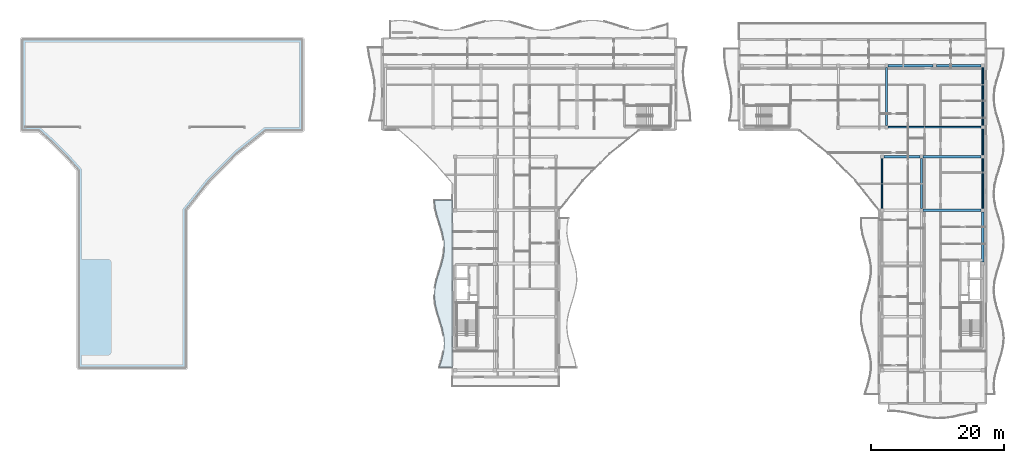
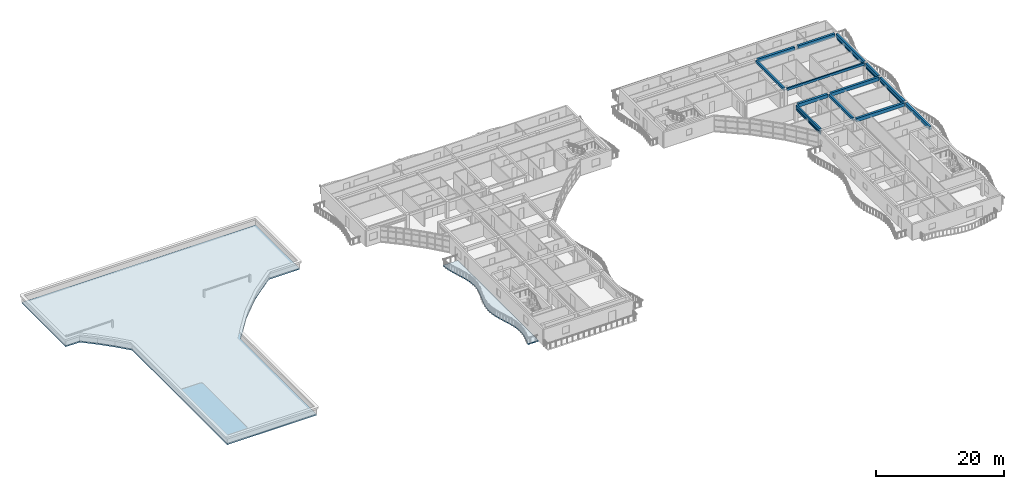
# One storey, part 16 of 39: 13 beams, 8 members, 2 slabs.
"""IFC4 building model written with IfcOpenShell, lengths in metres."""

from ifc_helpers import new_model, si_unit, direction, frame, origin, origin_2d, place, context, subcontext, project, spatial, polyline, rectangle, hollow_rectangle, outline, extrude, material, layer, layer_set, material_profile, profile_set, type_object, element, save


model = new_model("IFC4")

# Units and contexts
model_context = context("Model", 3, precision=1e-05, world=origin(), true_north=direction((0.0, 1.0)))
body_context = subcontext(model_context, "Body", "Model", "MODEL_VIEW")
ifc_project = project(units=[si_unit("LENGTHUNIT", "METRE"), si_unit("AREAUNIT", "SQUARE_METRE"), si_unit("VOLUMEUNIT", "CUBIC_METRE"), si_unit("PLANEANGLEUNIT", "RADIAN"), si_unit("MASSUNIT", "GRAM", prefix="KILO")], contexts=[model_context])

# Site, building, storey
site_placement = place(None, origin())
site = spatial("IfcSite", under=ifc_project, at=site_placement, CompositionType="ELEMENT")
building_placement = place(site_placement, origin())
building = spatial("IfcBuilding", under=site, at=building_placement, Name="Keldmere Railside Commons", CompositionType="ELEMENT")
storey_placement = place(building_placement, frame((0.0, 0.0, 32.9599609375)))
storey = spatial("IfcBuildingStorey", under=building, at=storey_placement, Name="L10", CompositionType="ELEMENT", Elevation=32.9599609375)

# Members
ifc_material_1 = material(Name="Steel F-36 (S355)", Category="steel")
ifc_material_profile_1 = material_profile(ifc_material_1, hollow_rectangle(XDim=0.14990234375, YDim=0.25, WallThickness=0.010009765625, at=origin_2d()), Name="RHS-250x150x10")
ifc_profile_set_1 = profile_set([ifc_material_profile_1], Name="Steel F-36 (S355)")
member_type_1 = type_object("IfcMemberType", Name="Balcony Continuous Planted Trough RHS250x150", PredefinedType="CHORD", material=ifc_profile_set_1)
for number, where, z_axis, x_axis, name in (
    (1, (168.449951171875, 88.25, 2.4150390625), (0.0, 1.0, 0.0), (-1.0, 0.0, 0.0), "PLT-1 MEM-BPLT-1001"),
    (2, (183.550048828125, 88.25, 2.4150390625), (0.0, 1.0, 0.0), (-1.0, 0.0, 0.0), "PLT-1 MEM-BPLT-1003"),
):
    element("IfcMember", number, at=place(storey_placement, frame(where, z_axis=z_axis, x_axis=x_axis)), inside=storey, type_object=member_type_1, Name=name, PredefinedType="CHORD", context=body_context, shape_type="SweptSolid", body=[
        extrude(hollow_rectangle(XDim=0.14990234375, YDim=0.25, WallThickness=0.010009765625, at=origin_2d()), origin(), (0.0, 0.0, 1.0), 7.5),
    ])
member_1_placement = place(storey_placement, frame((183.550048828125, 96.25, 2.4150390625), z_axis=(0.0, 1.0, 0.0), x_axis=(-1.0, 0.0, 0.0)))
element("IfcMember", 3, at=member_1_placement, inside=storey, type_object=member_type_1, Name="PLT-1 MEM-BPLT-1005", PredefinedType="CHORD", context=body_context, shape_type="SweptSolid", body=[
    extrude(hollow_rectangle(XDim=0.14990234375, YDim=0.25, WallThickness=0.010009765625, at=origin_2d()), origin(), (0.0, 0.0, 1.0), 3.949951171875),
])
member_2_placement = place(storey_placement, frame((183.550048828125, 100.699951171875, 2.4150390625), z_axis=(0.0, 1.0, 0.0), x_axis=(-1.0, 0.0, 0.0)))
element("IfcMember", 4, at=member_2_placement, inside=storey, type_object=member_type_1, Name="PLT-1 MEM-BPLT-1007", PredefinedType="CHORD", context=body_context, shape_type="SweptSolid", body=[
    extrude(hollow_rectangle(XDim=0.14990234375, YDim=0.25, WallThickness=0.010009765625, at=origin_2d()), origin(), (0.0, 0.0, 1.0), 8.699951171875),
])

# Beams
ifc_material_2 = material(Name="Architectural Precast Concrete H-35 (C35/45)", Category="concrete")
ifc_material_profile_2 = material_profile(ifc_material_2, rectangle(XDim=0.25, YDim=0.449951171875, at=origin_2d()), Name="RC-250x450")
ifc_profile_set_2 = profile_set([ifc_material_profile_2], Name="Architectural Precast Concrete H-35 (C35/45)")
beam_type_1 = type_object("IfcBeamType", Name="Perimeter Precast Spandrel Beam 250x450", PredefinedType="SPANDREL", material=ifc_profile_set_2)
beam_1_placement = place(storey_placement, frame((169.360107421875, 100.449951171875, 2.97509765625), z_axis=(1.0, 0.0, 0.0), x_axis=(0.0, 1.0, 0.0)))
element("IfcBeam", 5, at=beam_1_placement, inside=storey, type_object=beam_type_1, Name="SPB-1 BM-L10-2388", PredefinedType="SPANDREL", context=body_context, shape_type="SweptSolid", body=[
    extrude(rectangle(XDim=0.25, YDim=0.449951171875, at=origin_2d()), origin(), (0.0, 0.0, 1.0), 13.93994140625),
])
ifc_material_3 = material(Name="Concrete H-30 (C30/37)", Category="concrete")
ifc_material_profile_3 = material_profile(ifc_material_3, rectangle(XDim=0.35009765625, YDim=0.60009765625, at=origin_2d()), Name="RC-350x600")
ifc_profile_set_3 = profile_set([ifc_material_profile_3], Name="Concrete H-30 (C30/37)")
beam_type_2 = type_object("IfcBeamType", Name="Residential Chord RC Beam 350x600", PredefinedType="BEAM", material=ifc_profile_set_3)
for number, where, z_axis, x_axis, name in (
    (6, (183.550048828125, 80.25, 2.900146484375), (0.0, 1.0, 0.0), (-1.0, 0.0, 0.0), "BG-4 BM-L10-2424"),
    (7, (183.550048828125, 88.25, 2.900146484375), (0.0, 1.0, 0.0), (-1.0, 0.0, 0.0), "BG-4 BM-L10-2425"),
):
    element("IfcBeam", number, at=place(storey_placement, frame(where, z_axis=z_axis, x_axis=x_axis)), inside=storey, type_object=beam_type_2, Name=name, PredefinedType="BEAM", context=body_context, shape_type="SweptSolid", body=[
        extrude(rectangle(XDim=0.35009765625, YDim=0.60009765625, at=origin_2d()), origin(), (0.0, 0.0, 1.0), 7.5),
    ])
beam_2_placement = place(storey_placement, frame((183.550048828125, 96.25, 2.900146484375), z_axis=(0.0, 1.0, 0.0), x_axis=(-1.0, 0.0, 0.0)))
element("IfcBeam", 8, at=beam_2_placement, inside=storey, type_object=beam_type_2, Name="BG-4 BM-L10-2426", PredefinedType="BEAM", context=body_context, shape_type="SweptSolid", body=[
    extrude(rectangle(XDim=0.35009765625, YDim=0.60009765625, at=origin_2d()), origin(), (0.0, 0.0, 1.0), 3.949951171875),
])
beam_3_placement = place(storey_placement, frame((183.550048828125, 100.699951171875, 2.900146484375), z_axis=(0.0, 1.0, 0.0), x_axis=(-1.0, 0.0, 0.0)))
element("IfcBeam", 9, at=beam_3_placement, inside=storey, type_object=beam_type_2, Name="BG-4 BM-L10-2427", PredefinedType="BEAM", context=body_context, shape_type="SweptSolid", body=[
    extrude(rectangle(XDim=0.35009765625, YDim=0.60009765625, at=origin_2d()), origin(), (0.0, 0.0, 1.0), 8.699951171875),
])
ifc_material_profile_4 = material_profile(ifc_material_3, rectangle(XDim=0.39990234375, YDim=0.64990234375, at=origin_2d()), Name="RC-400x650")
ifc_profile_set_4 = profile_set([ifc_material_profile_4], Name="Concrete H-30 (C30/37)")
beam_type_3 = type_object("IfcBeamType", Name="Residential Spine RC Girder 400x650", PredefinedType="BEAM", material=ifc_profile_set_4)
beam_4_placement = place(storey_placement, frame((174.60009765625, 88.0, 2.875), z_axis=(1.0, 0.0, 0.0), x_axis=(0.0, 1.0, 0.0)))
element("IfcBeam", 10, at=beam_4_placement, inside=storey, type_object=beam_type_3, Name="BG-3 BM-L10-2378", PredefinedType="BEAM", context=body_context, shape_type="SweptSolid", body=[
    extrude(rectangle(XDim=0.39990234375, YDim=0.64990234375, at=origin_2d()), origin(), (0.0, 0.0, 1.0), 8.699951171875),
])
beam_5_placement = place(storey_placement, frame((168.699951171875, 96.0, 2.875), z_axis=(1.0, 0.0, 0.0), x_axis=(0.0, 1.0, 0.0)))
element("IfcBeam", 11, at=beam_5_placement, inside=storey, type_object=beam_type_3, Name="BG-3 BM-L10-2381", PredefinedType="BEAM", context=body_context, shape_type="SweptSolid", body=[
    extrude(rectangle(XDim=0.39990234375, YDim=0.64990234375, at=origin_2d()), origin(), (0.0, 0.0, 1.0), 5.400146484375),
])
beam_6_placement = place(storey_placement, frame((174.60009765625, 96.0, 2.875), z_axis=(1.0, 0.0, 0.0), x_axis=(0.0, 1.0, 0.0)))
element("IfcBeam", 12, at=beam_6_placement, inside=storey, type_object=beam_type_3, Name="BG-3 BM-L10-2382", PredefinedType="BEAM", context=body_context, shape_type="SweptSolid", body=[
    extrude(rectangle(XDim=0.39990234375, YDim=0.64990234375, at=origin_2d()), origin(), (0.0, 0.0, 1.0), 8.699951171875),
])
for number, where, z_axis, x_axis, name in (
    (13, (169.360107421875, 109.64990234375, 2.875), (1.0, 0.0, 0.0), (0.0, 1.0, 0.0), "BG-3 BM-L10-2398"),
    (14, (176.580078125, 109.64990234375, 2.875), (1.0, 0.0, 0.0), (0.0, 1.0, 0.0), "BG-3 BM-L10-2399"),
):
    element("IfcBeam", number, at=place(storey_placement, frame(where, z_axis=z_axis, x_axis=x_axis)), inside=storey, type_object=beam_type_3, Name=name, PredefinedType="BEAM", context=body_context, shape_type="SweptSolid", body=[
        extrude(rectangle(XDim=0.39990234375, YDim=0.64990234375, at=origin_2d()), origin(), (0.0, 0.0, 1.0), 6.719970703125),
    ])
ifc_material_profile_5 = material_profile(ifc_material_3, rectangle(XDim=0.300048828125, YDim=0.5, at=origin_2d()), Name="RC-300x500")
ifc_profile_set_5 = profile_set([ifc_material_profile_5], Name="Concrete H-30 (C30/37)")
beam_type_4 = type_object("IfcBeamType", Name="Secondary Frame RC Beam 300x500", PredefinedType="BEAM", material=ifc_profile_set_5)
beam_7_placement = place(storey_placement, frame((168.449951171875, 88.25, 2.949951171875), z_axis=(0.0, 1.0, 0.0), x_axis=(-1.0, 0.0, 0.0)))
element("IfcBeam", 15, at=beam_7_placement, inside=storey, type_object=beam_type_4, Name="BG-5 BM-L10-2418", PredefinedType="BEAM", context=body_context, shape_type="SweptSolid", body=[
    extrude(rectangle(XDim=0.300048828125, YDim=0.5, at=origin_2d()), origin(), (0.0, 0.0, 1.0), 7.5),
])
beam_8_placement = place(storey_placement, frame((169.110107421875, 100.699951171875, 2.949951171875), z_axis=(0.0, 1.0, 0.0), x_axis=(-1.0, 0.0, 0.0)))
element("IfcBeam", 16, at=beam_8_placement, inside=storey, type_object=beam_type_4, Name="BG-5 BM-L10-2419", PredefinedType="BEAM", context=body_context, shape_type="SweptSolid", body=[
    extrude(rectangle(XDim=0.300048828125, YDim=0.5, at=origin_2d()), origin(), (0.0, 0.0, 1.0), 8.699951171875),
])
beam_9_placement = place(storey_placement, frame((174.35009765625, 88.25, 2.949951171875), z_axis=(0.0, 1.0, 0.0), x_axis=(-1.0, 0.0, 0.0)))
element("IfcBeam", 17, at=beam_9_placement, inside=storey, type_object=beam_type_4, Name="BG-5 BM-L10-2423", PredefinedType="BEAM", context=body_context, shape_type="SweptSolid", body=[
    extrude(rectangle(XDim=0.300048828125, YDim=0.5, at=origin_2d()), origin(), (0.0, 0.0, 1.0), 7.5),
])

# Members
ifc_material_profile_6 = material_profile(ifc_material_1, hollow_rectangle(XDim=0.10009765625, YDim=0.159912109375, WallThickness=0.008056640625, at=origin_2d()), Name="RHS-160x100x8")
ifc_profile_set_6 = profile_set([ifc_material_profile_6], Name="Steel F-36 (S355)")
member_type_2 = type_object("IfcMemberType", Name="Solar Brise-Soleil Louvre Fin RHS160x100", PredefinedType="STRUT", material=ifc_profile_set_6)
for number, where, z_axis, x_axis, name in (
    (18, (168.449951171875, 88.25, 2.199951171875), (0.0, 1.0, 0.0), (-1.0, 0.0, 0.0), "BSF-1 MEM-BSF-1002"),
    (19, (183.550048828125, 88.25, 2.199951171875), (0.0, 1.0, 0.0), (-1.0, 0.0, 0.0), "BSF-1 MEM-BSF-1004"),
):
    element("IfcMember", number, at=place(storey_placement, frame(where, z_axis=z_axis, x_axis=x_axis)), inside=storey, type_object=member_type_2, Name=name, PredefinedType="STRUT", context=body_context, shape_type="SweptSolid", body=[
        extrude(hollow_rectangle(XDim=0.10009765625, YDim=0.159912109375, WallThickness=0.008056640625, at=origin_2d()), origin(), (0.0, 0.0, 1.0), 7.5),
    ])
member_3_placement = place(storey_placement, frame((183.550048828125, 96.25, 2.199951171875), z_axis=(0.0, 1.0, 0.0), x_axis=(-1.0, 0.0, 0.0)))
element("IfcMember", 20, at=member_3_placement, inside=storey, type_object=member_type_2, Name="BSF-1 MEM-BSF-1006", PredefinedType="STRUT", context=body_context, shape_type="SweptSolid", body=[
    extrude(hollow_rectangle(XDim=0.10009765625, YDim=0.159912109375, WallThickness=0.008056640625, at=origin_2d()), origin(), (0.0, 0.0, 1.0), 3.949951171875),
])
member_4_placement = place(storey_placement, frame((183.550048828125, 100.699951171875, 2.199951171875), z_axis=(0.0, 1.0, 0.0), x_axis=(-1.0, 0.0, 0.0)))
element("IfcMember", 21, at=member_4_placement, inside=storey, type_object=member_type_2, Name="BSF-1 MEM-BSF-1008", PredefinedType="STRUT", context=body_context, shape_type="SweptSolid", body=[
    extrude(hollow_rectangle(XDim=0.10009765625, YDim=0.159912109375, WallThickness=0.008056640625, at=origin_2d()), origin(), (0.0, 0.0, 1.0), 8.699951171875),
])

# Slabs
ifc_material_4 = material(Name="Concrete H-35 (C35/45)", Category="concrete")
ifc_layer_1 = layer(ifc_material_4, 0.25, Name="Planted Terrace Roof Slab 250")
ifc_layer_set_1 = layer_set([ifc_layer_1], Name="Concrete H-35 (C35/45)")
slab_type_1 = type_object("IfcSlabType", Name="Planted Terrace Roof Slab 250", PredefinedType="ROOF", material=ifc_layer_set_1)
slab_1_placement = place(storey_placement, frame((0.0, 0.0, -0.25)))
element("IfcSlab", 22, at=slab_1_placement, inside=storey, type_object=slab_type_1, Name="RT-1 ROOFC-L10-034", PredefinedType="ROOF", context=body_context, shape_type="SweptSolid", body=[
    extrude(outline(polyline([(48.0, 64.39990234375), (64.0, 64.39990234375), (64.0, 88.0), (67.553955078125, 92.429931640625), (71.570068359375, 96.446044921875), (76.0, 100.0), (81.5, 100.0), (81.5, 113.60009765625), (39.5, 113.60009765625), (39.5, 100.0), (42.0, 100.0), (44.10791015625, 98.110107421875), (46.110107421875, 96.10791015625), (48.0, 94.0), (48.0, 64.39990234375)])), origin(), (0.0, 0.0, 1.0), 0.25),
])
ifc_material_5 = material(Name="White Precast Concrete H-35 (C35/45)", Category="concrete")
ifc_layer_2 = layer(ifc_material_5, 0.179931640625, Name="Sinusoidal Wave Balcony Slab 180")
ifc_layer_set_2 = layer_set([ifc_layer_2], Name="White Precast Concrete H-35 (C35/45)")
slab_type_2 = type_object("IfcSlabType", Name="Sinusoidal Wave Balcony Slab 180", PredefinedType="FLOOR", material=ifc_layer_set_2)
slab_2_placement = place(storey_placement, frame((0.0, 0.0, -0.179931640625)))
element("IfcSlab", 23, at=slab_2_placement, inside=storey, type_object=slab_type_2, Name="WB-1 B L10 CW Wave Balcony", PredefinedType="FLOOR", context=body_context, shape_type="SweptSolid", body=[
    extrude(outline(polyline([(104.0, 64.39990234375), (104.0, 65.59521484375), (104.0, 66.79052734375), (104.0, 67.985595703125), (104.0, 69.180908203125), (104.0, 70.376220703125), (104.0, 71.5712890625), (104.0, 72.7666015625), (104.0, 73.9619140625), (104.0, 75.156982421875), (104.0, 76.352294921875), (104.0, 77.547607421875), (104.0, 78.742919921875), (104.0, 79.93798828125), (104.0, 81.13330078125), (104.0, 82.32861328125), (104.0, 83.523681640625), (104.0, 84.718994140625), (104.0, 85.914306640625), (104.0, 87.109619140625), (104.0, 88.3046875), (104.0, 89.5), (101.3017578125, 89.5), (101.4267578125, 88.3046875), (101.717529296875, 87.109619140625), (102.0966796875, 85.914306640625), (102.46337890625, 84.718994140625), (102.72021484375, 83.523681640625), (102.798828125, 82.32861328125), (102.678466796875, 81.13330078125), (102.390869140625, 79.93798828125), (102.0126953125, 78.742919921875), (101.64453125, 77.547607421875), (101.384033203125, 76.352294921875), (101.30078125, 75.156982421875), (101.41650390625, 73.9619140625), (101.70068359375, 72.7666015625), (102.077880859375, 71.5712890625), (102.447509765625, 70.376220703125), (102.711669921875, 69.180908203125), (102.799560546875, 67.985595703125), (102.6884765625, 66.79052734375), (102.407470703125, 65.59521484375), (102.031494140625, 64.39990234375), (104.0, 64.39990234375)])), origin(), (0.0, 0.0, 1.0), 0.179931640625),
])

save(model, "model.ifc")
